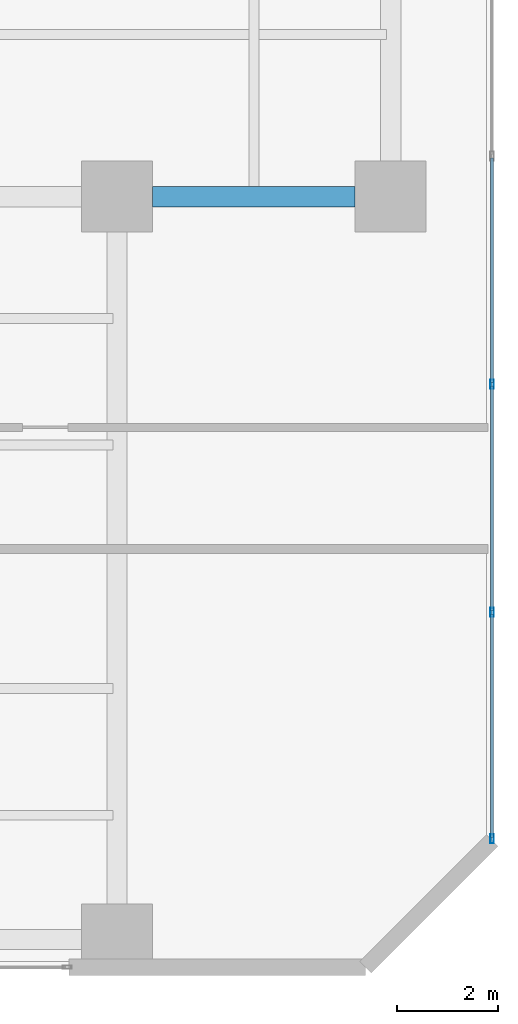
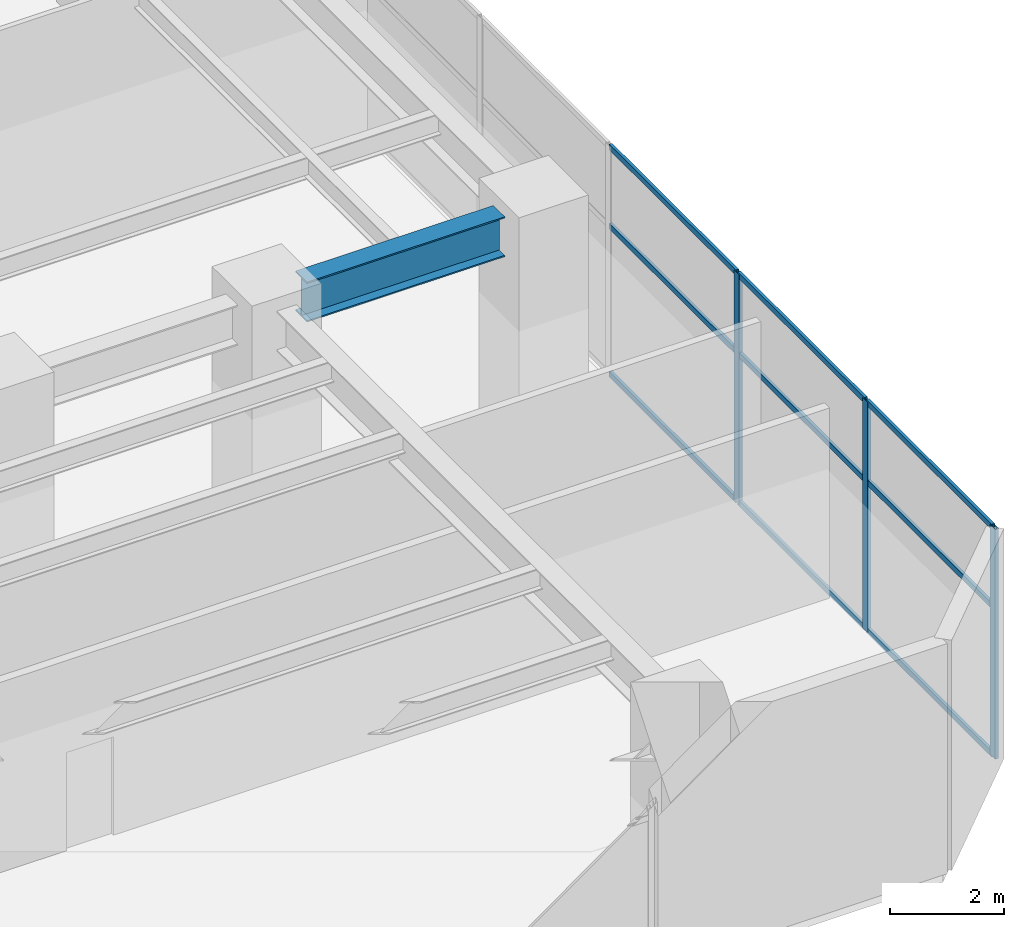
# One storey, part 9 of 29: 12 members, 1 beam, 1 element without a shape of its own.
"""IFC4 building model written with IfcOpenShell, lengths in metres."""

from ifc_helpers import new_model, si_unit, direction, frame, origin, origin_2d, place, context, subcontext, project, spatial, hollow_rectangle, i_section, extrude, material, layer, layer_set, material_profile, profile_set, type_object, element, aggregate, save


model = new_model("IFC4")

# Units and contexts
model_context = context("Model", 3, precision=1e-05, world=origin(), true_north=direction((0.0, 1.0)))
body_context = subcontext(model_context, "Body", "Model", "MODEL_VIEW")
ifc_project = project(units=[si_unit("LENGTHUNIT", "METRE"), si_unit("AREAUNIT", "SQUARE_METRE"), si_unit("VOLUMEUNIT", "CUBIC_METRE"), si_unit("PLANEANGLEUNIT", "RADIAN"), si_unit("MASSUNIT", "GRAM", prefix="KILO")], contexts=[model_context])

# Site, building, storey
site_placement = place(None, origin())
site = spatial("IfcSite", under=ifc_project, at=site_placement, CompositionType="ELEMENT")
building_placement = place(site_placement, origin())
building = spatial("IfcBuilding", under=site, at=building_placement, Name="Mawjaban Terraces University", CompositionType="ELEMENT")
storey_placement = place(building_placement, frame((0.0, 0.0, 15.60009765625)))
storey = spatial("IfcBuildingStorey", under=building, at=storey_placement, Name="L03", CompositionType="ELEMENT", Elevation=15.60009765625)

# Beam
ifc_material_1 = material(Name="Steel ASTM A572 Grade 50", Category="steel")
ifc_material_profile_1 = material_profile(ifc_material_1, i_section(OverallWidth=0.39990234375, OverallDepth=0.85498046875, WebThickness=0.018310546875, FlangeThickness=0.029296875, at=origin_2d()), Name="W840X299")
ifc_profile_set_1 = profile_set([ifc_material_profile_1], Name="Steel ASTM A572 Grade 50")
beam_type = type_object("IfcBeamType", Name="Beam_B_W840X299", PredefinedType="BEAM", material=ifc_profile_set_1)
beam_placement = place(storey_placement, frame((69.300048828125, 15.199951171875, 4.492919921875), z_axis=(1.0, 0.0, 0.0), x_axis=(0.0, 1.0, 0.0)))
element("IfcBeam", 1, at=beam_placement, inside=storey, type_object=beam_type, Name="L03 Beam BM-L03-EW-11", PredefinedType="BEAM", context=body_context, shape_type="SweptSolid", body=[
    extrude(i_section(OverallWidth=0.39990234375, OverallDepth=0.85498046875, WebThickness=0.018310546875, FlangeThickness=0.029296875, at=origin_2d()), origin(), (0.0, 0.0, 1.0), 4.0),
])

# Curtain wall, members
ifc_material_2 = material(Name="Anodised aluminium 6063-T6 and solar-control low-E glass", Category="aluminium")
ifc_layer = layer(ifc_material_2, 0.175048828125)
ifc_layer_set = layer_set([ifc_layer], Name="Anodised aluminium 6063-T6 and solar-control low-E glass")
curtain_wall_type = type_object("IfcCurtainWallType", Name="CWSystem_02_PodiumLibrary", PredefinedType="NOTDEFINED", material=ifc_layer_set)
curtain_wall_placement = place(storey_placement, origin())
curtain_wall = element("IfcCurtainWall", 2, at=curtain_wall_placement, inside=storey, type_object=curtain_wall_type, Name="L03 Curtain Wall CW-02 Run 3.1", PredefinedType="NOTDEFINED")
ifc_material_3 = material(Name="Anodised aluminium 6063-T6", Category="aluminium")
ifc_material_profile_2 = material_profile(ifc_material_3, hollow_rectangle(XDim=0.06494140625, YDim=0.179931640625, WallThickness=0.00390625, at=origin_2d()), Name="ALU180X65X4")
ifc_profile_set_2 = profile_set([ifc_material_profile_2], Name="Anodised aluminium 6063-T6")
member_type_1 = type_object("IfcMemberType", Name="Mullion_CW-02", PredefinedType="MULLION", material=ifc_profile_set_2)
member_1_placement = place(storey_placement, frame((76.0, 2.532470703125, 0.0), z_axis=(0.0, 0.0, 1.0), x_axis=(-1.0, 0.0, 0.0)))
member_1 = element("IfcMember", 3, at=member_1_placement, type_object=member_type_1, Name="CW-02 mullion 1", PredefinedType="MULLION", context=body_context, shape_type="SweptSolid", body=[
    extrude(hollow_rectangle(XDim=0.06494140625, YDim=0.179931640625, WallThickness=0.00390625, at=origin_2d()), origin(), (0.0, 0.0, 1.0), 4.919921875),
])
member_2_placement = place(storey_placement, frame((76.0, 7.0, 0.0), z_axis=(0.0, 0.0, 1.0), x_axis=(-1.0, 0.0, 0.0)))
member_2 = element("IfcMember", 4, at=member_2_placement, type_object=member_type_1, Name="CW-02 mullion 2", PredefinedType="MULLION", context=body_context, shape_type="SweptSolid", body=[
    extrude(hollow_rectangle(XDim=0.06494140625, YDim=0.179931640625, WallThickness=0.00390625, at=origin_2d()), origin(), (0.0, 0.0, 1.0), 4.919921875),
])
member_3_placement = place(storey_placement, frame((76.0, 11.5, 0.0), z_axis=(0.0, 0.0, 1.0), x_axis=(-1.0, 0.0, 0.0)))
member_3 = element("IfcMember", 5, at=member_3_placement, type_object=member_type_1, Name="CW-02 mullion 3", PredefinedType="MULLION", context=body_context, shape_type="SweptSolid", body=[
    extrude(hollow_rectangle(XDim=0.06494140625, YDim=0.179931640625, WallThickness=0.00390625, at=origin_2d()), origin(), (0.0, 0.0, 1.0), 4.919921875),
])
ifc_material_profile_3 = material_profile(ifc_material_3, hollow_rectangle(XDim=0.06005859375, YDim=0.1201171875, WallThickness=0.00341796875, at=origin_2d()), Name="ALU120X60X3.5")
ifc_profile_set_3 = profile_set([ifc_material_profile_3], Name="Anodised aluminium 6063-T6")
member_type_2 = type_object("IfcMemberType", Name="Transom_CW-02", PredefinedType="NOTDEFINED", material=ifc_profile_set_3)
member_4_placement = place(storey_placement, frame((76.0, 2.56494140625, 0.02978515625), z_axis=(0.0, 1.0, 0.0), x_axis=(-1.0, 0.0, 0.0)))
member_4 = element("IfcMember", 6, at=member_4_placement, type_object=member_type_2, Name="CW-02 transom 1.1", ObjectType="TRANSOM", PredefinedType="USERDEFINED", context=body_context, shape_type="SweptSolid", body=[
    extrude(hollow_rectangle(XDim=0.06005859375, YDim=0.1201171875, WallThickness=0.00341796875, at=origin_2d()), origin(), (0.0, 0.0, 1.0), 4.402587890625),
])
member_5_placement = place(storey_placement, frame((76.0, 2.56494140625, 3.197998046875), z_axis=(0.0, 1.0, 0.0), x_axis=(-1.0, 0.0, 0.0)))
member_5 = element("IfcMember", 7, at=member_5_placement, type_object=member_type_2, Name="CW-02 transom 1.2", ObjectType="TRANSOM", PredefinedType="USERDEFINED", context=body_context, shape_type="SweptSolid", body=[
    extrude(hollow_rectangle(XDim=0.06005859375, YDim=0.1201171875, WallThickness=0.00341796875, at=origin_2d()), origin(), (0.0, 0.0, 1.0), 4.402587890625),
])
member_6_placement = place(storey_placement, frame((76.0, 2.56494140625, 4.889892578125), z_axis=(0.0, 1.0, 0.0), x_axis=(-1.0, 0.0, 0.0)))
member_6 = element("IfcMember", 8, at=member_6_placement, type_object=member_type_2, Name="CW-02 transom 1.3", ObjectType="TRANSOM", PredefinedType="USERDEFINED", context=body_context, shape_type="SweptSolid", body=[
    extrude(hollow_rectangle(XDim=0.06005859375, YDim=0.1201171875, WallThickness=0.00341796875, at=origin_2d()), origin(), (0.0, 0.0, 1.0), 4.402587890625),
])
member_7_placement = place(storey_placement, frame((76.0, 7.032470703125, 0.02978515625), z_axis=(0.0, 1.0, 0.0), x_axis=(-1.0, 0.0, 0.0)))
member_7 = element("IfcMember", 9, at=member_7_placement, type_object=member_type_2, Name="CW-02 transom 2.1", ObjectType="TRANSOM", PredefinedType="USERDEFINED", context=body_context, shape_type="SweptSolid", body=[
    extrude(hollow_rectangle(XDim=0.06005859375, YDim=0.1201171875, WallThickness=0.00341796875, at=origin_2d()), origin(), (0.0, 0.0, 1.0), 4.43505859375),
])
member_8_placement = place(storey_placement, frame((76.0, 7.032470703125, 3.197998046875), z_axis=(0.0, 1.0, 0.0), x_axis=(-1.0, 0.0, 0.0)))
member_8 = element("IfcMember", 10, at=member_8_placement, type_object=member_type_2, Name="CW-02 transom 2.2", ObjectType="TRANSOM", PredefinedType="USERDEFINED", context=body_context, shape_type="SweptSolid", body=[
    extrude(hollow_rectangle(XDim=0.06005859375, YDim=0.1201171875, WallThickness=0.00341796875, at=origin_2d()), origin(), (0.0, 0.0, 1.0), 4.43505859375),
])
member_9_placement = place(storey_placement, frame((76.0, 7.032470703125, 4.889892578125), z_axis=(0.0, 1.0, 0.0), x_axis=(-1.0, 0.0, 0.0)))
member_9 = element("IfcMember", 11, at=member_9_placement, type_object=member_type_2, Name="CW-02 transom 2.3", ObjectType="TRANSOM", PredefinedType="USERDEFINED", context=body_context, shape_type="SweptSolid", body=[
    extrude(hollow_rectangle(XDim=0.06005859375, YDim=0.1201171875, WallThickness=0.00341796875, at=origin_2d()), origin(), (0.0, 0.0, 1.0), 4.43505859375),
])
member_10_placement = place(storey_placement, frame((76.0, 11.532470703125, 0.02978515625), z_axis=(0.0, 1.0, 0.0), x_axis=(-1.0, 0.0, 0.0)))
member_10 = element("IfcMember", 12, at=member_10_placement, type_object=member_type_2, Name="CW-02 transom 3.1", ObjectType="TRANSOM", PredefinedType="USERDEFINED", context=body_context, shape_type="SweptSolid", body=[
    extrude(hollow_rectangle(XDim=0.06005859375, YDim=0.1201171875, WallThickness=0.00341796875, at=origin_2d()), origin(), (0.0, 0.0, 1.0), 4.43505859375),
])
member_11_placement = place(storey_placement, frame((76.0, 11.532470703125, 3.197998046875), z_axis=(0.0, 1.0, 0.0), x_axis=(-1.0, 0.0, 0.0)))
member_11 = element("IfcMember", 13, at=member_11_placement, type_object=member_type_2, Name="CW-02 transom 3.2", ObjectType="TRANSOM", PredefinedType="USERDEFINED", context=body_context, shape_type="SweptSolid", body=[
    extrude(hollow_rectangle(XDim=0.06005859375, YDim=0.1201171875, WallThickness=0.00341796875, at=origin_2d()), origin(), (0.0, 0.0, 1.0), 4.43505859375),
])
member_12_placement = place(storey_placement, frame((76.0, 11.532470703125, 4.889892578125), z_axis=(0.0, 1.0, 0.0), x_axis=(-1.0, 0.0, 0.0)))
member_12 = element("IfcMember", 14, at=member_12_placement, type_object=member_type_2, Name="CW-02 transom 3.3", ObjectType="TRANSOM", PredefinedType="USERDEFINED", context=body_context, shape_type="SweptSolid", body=[
    extrude(hollow_rectangle(XDim=0.06005859375, YDim=0.1201171875, WallThickness=0.00341796875, at=origin_2d()), origin(), (0.0, 0.0, 1.0), 4.43505859375),
])
aggregate(curtain_wall, [member_1, member_2, member_3, member_4, member_5, member_6, member_7, member_8, member_9, member_10, member_11, member_12])

save(model, "model.ifc")
